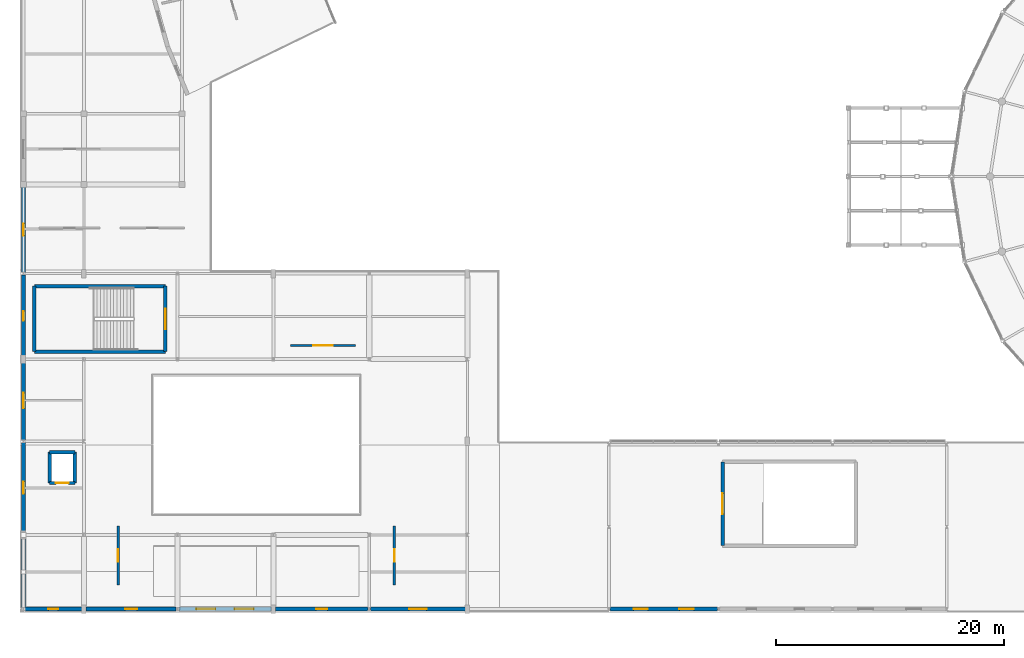
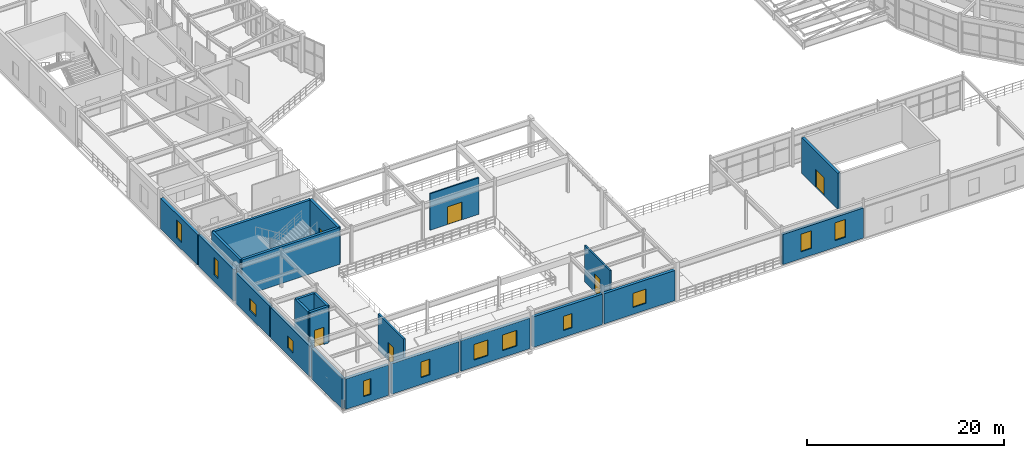
# One storey, part 103 of 144: 23 walls, 12 windows, 6 doors, 18 openings.
"""IFC4 building model written with IfcOpenShell, lengths in metres."""

from ifc_helpers import new_model, si_unit, direction, frame, frame_2d, origin, place, context, subcontext, project, spatial, rectangle, extrude, material, layer, layer_set, type_object, element, fill, save


model = new_model("IFC4")

# Units and contexts
model_context = context("Model", 3, precision=1e-05, world=origin(), true_north=direction((0.0, 1.0)))
body_context = subcontext(model_context, "Body", "Model", "MODEL_VIEW")
ifc_project = project(units=[si_unit("LENGTHUNIT", "METRE"), si_unit("AREAUNIT", "SQUARE_METRE"), si_unit("VOLUMEUNIT", "CUBIC_METRE"), si_unit("PLANEANGLEUNIT", "RADIAN"), si_unit("MASSUNIT", "GRAM", prefix="KILO")], contexts=[model_context])

# Site, building, storey
site_placement = place(None, origin())
site = spatial("IfcSite", under=ifc_project, at=site_placement, CompositionType="ELEMENT")
building_placement = place(site_placement, origin())
building = spatial("IfcBuilding", under=site, at=building_placement, Name="Cinderbank Siding Concert Hall", CompositionType="ELEMENT")
storey_placement = place(building_placement, frame((0.0, 0.0, 5.39990234375)))
storey = spatial("IfcBuildingStorey", under=building, at=storey_placement, Name="L02", CompositionType="ELEMENT", Elevation=5.39990234375)

# Wall, opening, door
ifc_material_1 = material(Name="Reinforced concrete AS 3600 N50 (50 MPa)", Category="concrete")
ifc_layer_1 = layer(ifc_material_1, 0.300048828125)
ifc_layer_set_1 = layer_set([ifc_layer_1], Name="Reinforced concrete AS 3600 N50 (50 MPa)")
wall_type_1 = type_object("IfcWallType", Name="WL-03 Structural Wall 300mm", PredefinedType="SHEAR", material=ifc_layer_set_1)
wall_1_placement = place(storey_placement, frame((19.5400390625, 34.39990234375, 0.0), z_axis=(0.0, 0.0, 1.0), x_axis=(0.0, -1.0, 0.0)))
wall_1 = element("IfcWall", 1, at=wall_1_placement, inside=storey, type_object=wall_type_1, Name="L02 ST-06 Core Wall ENTRY", PredefinedType="SHEAR", context=body_context, shape_type="SweptSolid", body=[
    extrude(rectangle(XDim=5.739990234375, YDim=0.300048828125, at=frame_2d((2.8701171875, 0.0))), origin(), (0.0, 0.0, 1.0), 4.5400390625),
])
opening_1_placement = place(wall_1_placement, frame((1.969970703125, 0.0, 0.0)))
opening_1 = element("IfcOpeningElement", 2, at=opening_1_placement, cuts=wall_1, Name="Opening D-05", PredefinedType="OPENING", context=body_context, shape_type="SweptSolid", body=[
    extrude(rectangle(XDim=1.800048828125, YDim=2.199951171875, at=frame_2d((0.89990234375, 1.10009765625))), frame((0.0, 0.162109375, 0.0), z_axis=(0.0, -1.0, 0.0), x_axis=(1.0, 0.0, 0.0)), (0.0, 0.0, 1.0), 0.323974609375),
])
ifc_material_2 = material(Name="Galvanised sheet steel acoustic fire door assembly", Category="steel")
door_type_1 = type_object("IfcDoorType", Name="D-05 Interior Door 1800x2200", OperationType="DOUBLE_DOOR_SINGLE_SWING", PredefinedType="DOOR", material=ifc_material_2)
door_1_placement = place(opening_1_placement, origin())
door_1 = element("IfcDoor", 3, at=door_1_placement, inside=storey, type_object=door_type_1, Name="L02 ST-06 Fire Stair Door L02-D037", OperationType="DOUBLE_DOOR_SINGLE_SWING", OverallHeight=2.199951171875, OverallWidth=1.800048828125, PredefinedType="DOOR", context=body_context, shape_type="SweptSolid", body=[
    extrude(rectangle(XDim=1.800048828125, YDim=2.199951171875, at=frame_2d((0.89990234375, 1.10009765625))), frame((0.0, 0.02490234375, 0.0), z_axis=(0.0, -1.0, 0.0), x_axis=(1.0, 0.0, 0.0)), (0.0, 0.0, 1.0), 0.050048828125),
])
fill(opening_1, door_1)

# Walls
wall_2_placement = place(storey_placement, frame((8.06005859375, 28.659912109375, 0.0), z_axis=(0.0, 0.0, 1.0), x_axis=(0.0, 1.0, 0.0)))
element("IfcWall", 4, at=wall_2_placement, inside=storey, type_object=wall_type_1, Name="L02 ST-06 Core Wall FAR", PredefinedType="SHEAR", context=body_context, shape_type="SweptSolid", body=[
    extrude(rectangle(XDim=5.739990234375, YDim=0.300048828125, at=frame_2d((2.8701171875, 0.0))), origin(), (0.0, 0.0, 1.0), 4.5400390625),
])
for number, where, z_axis, x_axis, name in (
    (5, (8.06005859375, 34.39990234375, 0.0), (0.0, 0.0, 1.0), (1.0, 0.0, 0.0), "L02 ST-06 Core Wall SIDE1"),
    (6, (19.5400390625, 28.659912109375, 0.0), (0.0, 0.0, 1.0), (-1.0, 0.0, 0.0), "L02 ST-06 Core Wall SIDE2"),
):
    element("IfcWall", number, at=place(storey_placement, frame(where, z_axis=z_axis, x_axis=x_axis)), inside=storey, type_object=wall_type_1, Name=name, PredefinedType="SHEAR", context=body_context, shape_type="SweptSolid", body=[
        extrude(rectangle(XDim=11.47998046875, YDim=0.300048828125, at=frame_2d((5.739990234375, 0.0))), origin(), (0.0, 0.0, 1.0), 4.5400390625),
    ])

# Wall, opening, door
wall_3_placement = place(storey_placement, frame((68.360107421875, 11.659912109375, 0.0), z_axis=(0.0, 0.0, 1.0), x_axis=(0.0, 1.0, 0.0)))
wall_3 = element("IfcWall", 7, at=wall_3_placement, inside=storey, type_object=wall_type_1, Name="L02 ST-08 Core Wall ENTRY", PredefinedType="SHEAR", context=body_context, shape_type="SweptSolid", body=[
    extrude(rectangle(XDim=7.340087890625, YDim=0.300048828125, at=frame_2d((3.669921875, 0.0))), origin(), (0.0, 0.0, 1.0), 4.4501953125),
])
opening_2_placement = place(wall_3_placement, frame((2.77001953125, 0.0, 0.0)))
opening_2 = element("IfcOpeningElement", 8, at=opening_2_placement, cuts=wall_3, Name="Opening D-05", PredefinedType="OPENING", context=body_context, shape_type="SweptSolid", body=[
    extrude(rectangle(XDim=1.800048828125, YDim=2.199951171875, at=frame_2d((0.89990234375, 1.10009765625))), frame((0.0, 0.162109375, 0.0), z_axis=(0.0, -1.0, 0.0), x_axis=(1.0, 0.0, 0.0)), (0.0, 0.0, 1.0), 0.323974609375),
])
door_2_placement = place(opening_2_placement, origin())
door_2 = element("IfcDoor", 9, at=door_2_placement, inside=storey, type_object=door_type_1, Name="L02 ST-08 Fire Stair Door L02-D045", OperationType="DOUBLE_DOOR_SINGLE_SWING", OverallHeight=2.199951171875, OverallWidth=1.800048828125, PredefinedType="DOOR", context=body_context, shape_type="SweptSolid", body=[
    extrude(rectangle(XDim=1.800048828125, YDim=2.199951171875, at=frame_2d((0.89990234375, 1.10009765625))), frame((0.0, 0.02490234375, 0.0), z_axis=(0.0, -1.0, 0.0), x_axis=(1.0, 0.0, 0.0)), (0.0, 0.0, 1.0), 0.050048828125),
])
fill(opening_2, door_2)

wall_4_placement = place(storey_placement, frame((11.60009765625, 17.14990234375, 0.0), z_axis=(0.0, 0.0, 1.0), x_axis=(-1.0, 0.0, 0.0)))
wall_4 = element("IfcWall", 10, at=wall_4_placement, inside=storey, type_object=wall_type_1, Name="L02 LF-07 Shaft Wall -Y", PredefinedType="SHEAR", context=body_context, shape_type="SweptSolid", body=[
    extrude(rectangle(XDim=2.2001953125, YDim=0.300048828125, at=frame_2d((1.10009765625, 0.0))), origin(), (0.0, 0.0, 1.0), 4.5400390625),
])
opening_3_placement = place(wall_4_placement, frame((0.550048828125, 0.0, 0.0)))
opening_3 = element("IfcOpeningElement", 11, at=opening_3_placement, cuts=wall_4, Name="Opening LD-01", PredefinedType="OPENING", context=body_context, shape_type="SweptSolid", body=[
    extrude(rectangle(XDim=1.10009765625, YDim=2.14990234375, at=frame_2d((0.550048828125, 1.074951171875))), frame((0.0, 0.162109375, 0.0), z_axis=(0.0, -1.0, 0.0), x_axis=(1.0, 0.0, 0.0)), (0.0, 0.0, 1.0), 0.323974609375),
])
door_type_2 = type_object("IfcDoorType", Name="LD-01 Interior Door 1100x2150", OperationType="DOUBLE_DOOR_SLIDING", PredefinedType="DOOR", material=ifc_material_2)
door_3_placement = place(opening_3_placement, origin())
door_3 = element("IfcDoor", 12, at=door_3_placement, inside=storey, type_object=door_type_2, Name="L02 LF-07 Sliding Landing Door", OperationType="DOUBLE_DOOR_SLIDING", OverallHeight=2.14990234375, OverallWidth=1.10009765625, PredefinedType="DOOR", context=body_context, shape_type="SweptSolid", body=[
    extrude(rectangle(XDim=1.10009765625, YDim=2.14990234375, at=frame_2d((0.550048828125, 1.074951171875))), frame((0.0, 0.02490234375, 0.0), z_axis=(0.0, -1.0, 0.0), x_axis=(1.0, 0.0, 0.0)), (0.0, 0.0, 1.0), 0.050048828125),
])
fill(opening_3, door_3)

# Walls
wall_5_placement = place(storey_placement, frame((11.60009765625, 19.85009765625, 0.0), z_axis=(0.0, 0.0, 1.0), x_axis=(0.0, -1.0, 0.0)))
element("IfcWall", 13, at=wall_5_placement, inside=storey, type_object=wall_type_1, Name="L02 LF-07 Shaft Wall +X", PredefinedType="SHEAR", context=body_context, shape_type="SweptSolid", body=[
    extrude(rectangle(XDim=2.7001953125, YDim=0.300048828125, at=frame_2d((1.35009765625, 0.0))), origin(), (0.0, 0.0, 1.0), 4.5400390625),
])
wall_6_placement = place(storey_placement, frame((9.39990234375, 19.85009765625, 0.0), z_axis=(0.0, 0.0, 1.0), x_axis=(1.0, 0.0, 0.0)))
element("IfcWall", 14, at=wall_6_placement, inside=storey, type_object=wall_type_1, Name="L02 LF-07 Shaft Wall +Y", PredefinedType="SHEAR", context=body_context, shape_type="SweptSolid", body=[
    extrude(rectangle(XDim=2.2001953125, YDim=0.300048828125, at=frame_2d((1.10009765625, 0.0))), origin(), (0.0, 0.0, 1.0), 4.5400390625),
])
wall_7_placement = place(storey_placement, frame((9.39990234375, 17.14990234375, 0.0), z_axis=(0.0, 0.0, 1.0), x_axis=(0.0, 1.0, 0.0)))
element("IfcWall", 15, at=wall_7_placement, inside=storey, type_object=wall_type_1, Name="L02 LF-07 Shaft Wall -X", PredefinedType="SHEAR", context=body_context, shape_type="SweptSolid", body=[
    extrude(rectangle(XDim=2.7001953125, YDim=0.300048828125, at=frame_2d((1.35009765625, 0.0))), origin(), (0.0, 0.0, 1.0), 4.5400390625),
])

# Wall, opening, window
ifc_material_3 = material(Name="Clinker clay brickwork masonry AS 3700 (20 MPa)", Category="masonry")
ifc_layer_2 = layer(ifc_material_3, 0.340087890625)
ifc_layer_set_2 = layer_set([ifc_layer_2], Name="Clinker clay brickwork masonry AS 3700 (20 MPa)")
wall_type_2 = type_object("IfcWallType", Name="WL-07 Exterior Wall 340mm", PredefinedType="STANDARD", material=ifc_layer_set_2)
wall_8_placement = place(storey_placement, frame((12.215087890625, 6.10009765625, 0.0), z_axis=(0.0, 0.0, 1.0), x_axis=(-1.0, 0.0, 0.0)))
wall_8 = element("IfcWall", 16, at=wall_8_placement, inside=storey, type_object=wall_type_2, Name="L02 Facade Wall EW-V2-S0-L02", PredefinedType="STANDARD", context=body_context, shape_type="SweptSolid", body=[
    extrude(rectangle(XDim=5.003173828125, YDim=0.340087890625, at=frame_2d((2.50146484375, 0.0))), origin(), (0.0, 0.0, 1.0), 3.777099609375),
])
opening_4_placement = place(wall_8_placement, frame((2.076416015625, 0.0, 0.85009765625)))
opening_4 = element("IfcOpeningElement", 17, at=opening_4_placement, cuts=wall_8, Name="Opening WN-09", PredefinedType="OPENING", context=body_context, shape_type="SweptSolid", body=[
    extrude(rectangle(XDim=0.85009765625, YDim=1.949951171875, at=frame_2d((0.425048828125, 0.97509765625))), frame((0.0, 0.18212890625, 0.0), z_axis=(0.0, -1.0, 0.0), x_axis=(1.0, 0.0, 0.0)), (0.0, 0.0, 1.0), 0.364013671875),
])
ifc_material_4 = material(Name="Double-glazed laminated acoustic glass", Category="glass")
window_type_1 = type_object("IfcWindowType", Name="WN-09 Acoustic Casement Window 850x1950", PartitioningType="DOUBLE_PANEL_VERTICAL", PredefinedType="WINDOW", material=ifc_material_4)
window_1_placement = place(opening_4_placement, origin())
window_1 = element("IfcWindow", 18, at=window_1_placement, inside=storey, type_object=window_type_1, Name="L02 Facade Window #57", OverallHeight=1.949951171875, OverallWidth=0.85009765625, PartitioningType="DOUBLE_PANEL_VERTICAL", PredefinedType="WINDOW", context=body_context, shape_type="SweptSolid", body=[
    extrude(rectangle(XDim=0.85009765625, YDim=1.949951171875, at=frame_2d((0.425048828125, 0.97509765625))), frame((0.0, 0.030029296875, 0.0), z_axis=(0.0, -1.0, 0.0), x_axis=(1.0, 0.0, 0.0)), (0.0, 0.0, 1.0), 0.06005859375),
])
fill(opening_4, window_1)

wall_9_placement = place(storey_placement, frame((20.488037109375, 6.10009765625, 0.0), z_axis=(0.0, 0.0, 1.0), x_axis=(-1.0, 0.0, 0.0)))
wall_9 = element("IfcWall", 19, at=wall_9_placement, inside=storey, type_object=wall_type_2, Name="L02 Facade Wall EW-V2-S1-L02", PredefinedType="STANDARD", context=body_context, shape_type="SweptSolid", body=[
    extrude(rectangle(XDim=7.903076171875, YDim=0.340087890625, at=frame_2d((3.95166015625, 0.0))), origin(), (0.0, 0.0, 1.0), 3.777099609375),
])
opening_5_placement = place(wall_9_placement, frame((3.426513671875, 0.0, 0.85009765625)))
opening_5 = element("IfcOpeningElement", 20, at=opening_5_placement, cuts=wall_9, Name="Opening WN-11", PredefinedType="OPENING", context=body_context, shape_type="SweptSolid", body=[
    extrude(rectangle(XDim=1.050048828125, YDim=1.949951171875, at=frame_2d((0.52490234375, 0.97509765625))), frame((0.0, 0.18212890625, 0.0), z_axis=(0.0, -1.0, 0.0), x_axis=(1.0, 0.0, 0.0)), (0.0, 0.0, 1.0), 0.364013671875),
])
window_type_2 = type_object("IfcWindowType", Name="WN-11 Acoustic Casement Window 1050x1950", PartitioningType="DOUBLE_PANEL_VERTICAL", PredefinedType="WINDOW", material=ifc_material_4)
window_2_placement = place(opening_5_placement, origin())
window_2 = element("IfcWindow", 21, at=window_2_placement, inside=storey, type_object=window_type_2, Name="L02 Facade Window #59", OverallHeight=1.949951171875, OverallWidth=1.050048828125, PartitioningType="DOUBLE_PANEL_VERTICAL", PredefinedType="WINDOW", context=body_context, shape_type="SweptSolid", body=[
    extrude(rectangle(XDim=1.050048828125, YDim=1.949951171875, at=frame_2d((0.52490234375, 0.97509765625))), frame((0.0, 0.030029296875, 0.0), z_axis=(0.0, -1.0, 0.0), x_axis=(1.0, 0.0, 0.0)), (0.0, 0.0, 1.0), 0.06005859375),
])
fill(opening_5, window_2)

# Wall, openings, windows
wall_10_placement = place(storey_placement, frame((28.81494140625, 6.10009765625, 0.0), z_axis=(0.0, 0.0, 1.0), x_axis=(-1.0, 0.0, 0.0)))
wall_10 = element("IfcWall", 22, at=wall_10_placement, inside=storey, type_object=wall_type_2, Name="L02 Facade Wall EW-V2-S2-L02", PredefinedType="STANDARD", context=body_context, shape_type="SweptSolid", body=[
    extrude(rectangle(XDim=8.10302734375, YDim=0.340087890625, at=frame_2d((4.051513671875, 0.0))), origin(), (0.0, 0.0, 1.0), 3.777099609375),
])
opening_6_placement = place(wall_10_placement, frame((1.55078125, 0.0, 0.85009765625)))
opening_6 = element("IfcOpeningElement", 23, at=opening_6_placement, cuts=wall_10, Name="Opening WN-15", PredefinedType="OPENING", context=body_context, shape_type="SweptSolid", body=[
    extrude(rectangle(XDim=1.64990234375, YDim=1.949951171875, at=frame_2d((0.824951171875, 0.97509765625))), frame((0.0, 0.18212890625, 0.0), z_axis=(0.0, -1.0, 0.0), x_axis=(1.0, 0.0, 0.0)), (0.0, 0.0, 1.0), 0.364013671875),
])
opening_7_placement = place(wall_10_placement, frame((4.90234375, 0.0, 0.85009765625)))
opening_7 = element("IfcOpeningElement", 24, at=opening_7_placement, cuts=wall_10, Name="Opening WN-15", PredefinedType="OPENING", context=body_context, shape_type="SweptSolid", body=[
    extrude(rectangle(XDim=1.64990234375, YDim=1.949951171875, at=frame_2d((0.824951171875, 0.97509765625))), frame((0.0, 0.18212890625, 0.0), z_axis=(0.0, -1.0, 0.0), x_axis=(1.0, 0.0, 0.0)), (0.0, 0.0, 1.0), 0.364013671875),
])
window_type_3 = type_object("IfcWindowType", Name="WN-15 Acoustic Casement Window 1650x1950", PartitioningType="DOUBLE_PANEL_VERTICAL", PredefinedType="WINDOW", material=ifc_material_4)
window_3_placement = place(opening_6_placement, origin())
window_3 = element("IfcWindow", 25, at=window_3_placement, inside=storey, type_object=window_type_3, Name="L02 Facade Window #63", OverallHeight=1.949951171875, OverallWidth=1.64990234375, PartitioningType="DOUBLE_PANEL_VERTICAL", PredefinedType="WINDOW", context=body_context, shape_type="SweptSolid", body=[
    extrude(rectangle(XDim=1.64990234375, YDim=1.949951171875, at=frame_2d((0.824951171875, 0.97509765625))), frame((0.0, 0.030029296875, 0.0), z_axis=(0.0, -1.0, 0.0), x_axis=(1.0, 0.0, 0.0)), (0.0, 0.0, 1.0), 0.06005859375),
])
fill(opening_6, window_3)
window_4_placement = place(opening_7_placement, origin())
window_4 = element("IfcWindow", 26, at=window_4_placement, inside=storey, type_object=window_type_3, Name="L02 Facade Window #64", OverallHeight=1.949951171875, OverallWidth=1.64990234375, PartitioningType="DOUBLE_PANEL_VERTICAL", PredefinedType="WINDOW", context=body_context, shape_type="SweptSolid", body=[
    extrude(rectangle(XDim=1.64990234375, YDim=1.949951171875, at=frame_2d((0.824951171875, 0.97509765625))), frame((0.0, 0.030029296875, 0.0), z_axis=(0.0, -1.0, 0.0), x_axis=(1.0, 0.0, 0.0)), (0.0, 0.0, 1.0), 0.06005859375),
])
fill(opening_7, window_4)

# Wall, opening, window
wall_11_placement = place(storey_placement, frame((37.2880859375, 6.10009765625, 0.0), z_axis=(0.0, 0.0, 1.0), x_axis=(-1.0, 0.0, 0.0)))
wall_11 = element("IfcWall", 27, at=wall_11_placement, inside=storey, type_object=wall_type_2, Name="L02 Facade Wall EW-V2-S3-L02", PredefinedType="STANDARD", context=body_context, shape_type="SweptSolid", body=[
    extrude(rectangle(XDim=8.10302734375, YDim=0.340087890625, at=frame_2d((4.051513671875, 0.0))), origin(), (0.0, 0.0, 1.0), 3.777099609375),
])
opening_8_placement = place(wall_11_placement, frame((3.551513671875, 0.0, 0.85009765625)))
opening_8 = element("IfcOpeningElement", 28, at=opening_8_placement, cuts=wall_11, Name="Opening WN-18", PredefinedType="OPENING", context=body_context, shape_type="SweptSolid", body=[
    extrude(rectangle(XDim=1.0, YDim=1.75, at=frame_2d((0.5, 0.875))), frame((0.0, 0.18212890625, 0.0), z_axis=(0.0, -1.0, 0.0), x_axis=(1.0, 0.0, 0.0)), (0.0, 0.0, 1.0), 0.364013671875),
])
window_type_4 = type_object("IfcWindowType", Name="WN-18 Acoustic Casement Window 1000x1750", PartitioningType="DOUBLE_PANEL_VERTICAL", PredefinedType="WINDOW", material=ifc_material_4)
window_5_placement = place(opening_8_placement, origin())
window_5 = element("IfcWindow", 29, at=window_5_placement, inside=storey, type_object=window_type_4, Name="L02 Facade Window #66", OverallHeight=1.75, OverallWidth=1.0, PartitioningType="DOUBLE_PANEL_VERTICAL", PredefinedType="WINDOW", context=body_context, shape_type="SweptSolid", body=[
    extrude(rectangle(XDim=1.0, YDim=1.75, at=frame_2d((0.5, 0.875))), frame((0.0, 0.030029296875, 0.0), z_axis=(0.0, -1.0, 0.0), x_axis=(1.0, 0.0, 0.0)), (0.0, 0.0, 1.0), 0.06005859375),
])
fill(opening_8, window_5)

wall_12_placement = place(storey_placement, frame((45.81494140625, 6.10009765625, 0.0), z_axis=(0.0, 0.0, 1.0), x_axis=(-1.0, 0.0, 0.0)))
wall_12 = element("IfcWall", 30, at=wall_12_placement, inside=storey, type_object=wall_type_2, Name="L02 Facade Wall EW-V2-S4-L02", PredefinedType="STANDARD", context=body_context, shape_type="SweptSolid", body=[
    extrude(rectangle(XDim=8.302978515625, YDim=0.340087890625, at=frame_2d((4.1513671875, 0.0))), origin(), (0.0, 0.0, 1.0), 3.737060546875),
])
opening_9_placement = place(wall_12_placement, frame((3.3916015625, 0.0, 0.85009765625)))
opening_9 = element("IfcOpeningElement", 31, at=opening_9_placement, cuts=wall_12, Name="Opening WN-22", PredefinedType="OPENING", context=body_context, shape_type="SweptSolid", body=[
    extrude(rectangle(XDim=1.52001953125, YDim=1.75, at=frame_2d((0.760009765625, 0.875))), frame((0.0, 0.18212890625, 0.0), z_axis=(0.0, -1.0, 0.0), x_axis=(1.0, 0.0, 0.0)), (0.0, 0.0, 1.0), 0.364013671875),
])
window_type_5 = type_object("IfcWindowType", Name="WN-22 Acoustic Casement Window 1520x1750", PartitioningType="DOUBLE_PANEL_VERTICAL", PredefinedType="WINDOW", material=ifc_material_4)
window_6_placement = place(opening_9_placement, origin())
window_6 = element("IfcWindow", 32, at=window_6_placement, inside=storey, type_object=window_type_5, Name="L02 Facade Window #70", OverallHeight=1.75, OverallWidth=1.52001953125, PartitioningType="DOUBLE_PANEL_VERTICAL", PredefinedType="WINDOW", context=body_context, shape_type="SweptSolid", body=[
    extrude(rectangle(XDim=1.52001953125, YDim=1.75, at=frame_2d((0.760009765625, 0.875))), frame((0.0, 0.030029296875, 0.0), z_axis=(0.0, -1.0, 0.0), x_axis=(1.0, 0.0, 0.0)), (0.0, 0.0, 1.0), 0.06005859375),
])
fill(opening_9, window_6)

# Wall
wall_13_placement = place(storey_placement, frame((7.10009765625, 6.2119140625, 0.0), z_axis=(0.0, 0.0, 1.0), x_axis=(0.0, 1.0, 0.0)))
element("IfcWall", 33, at=wall_13_placement, inside=storey, type_object=wall_type_2, Name="L02 Facade Wall EW-V2-W0-L02", PredefinedType="STANDARD", context=body_context, shape_type="SweptSolid", body=[
    extrude(rectangle(XDim=6.203125, YDim=0.340087890625, at=frame_2d((3.1015625, 0.0))), origin(), (0.0, 0.0, 1.0), 3.777099609375),
])

# Wall, opening, window
wall_14_placement = place(storey_placement, frame((7.10009765625, 12.784912109375, 0.0), z_axis=(0.0, 0.0, 1.0), x_axis=(0.0, 1.0, 0.0)))
wall_14 = element("IfcWall", 34, at=wall_14_placement, inside=storey, type_object=wall_type_2, Name="L02 Facade Wall EW-V2-W1-L02", PredefinedType="STANDARD", context=body_context, shape_type="SweptSolid", body=[
    extrude(rectangle(XDim=7.903076171875, YDim=0.340087890625, at=frame_2d((3.95166015625, 0.0))), origin(), (0.0, 0.0, 1.0), 3.777099609375),
])
opening_10_placement = place(wall_14_placement, frame((3.41162109375, 0.0, 0.85009765625)))
opening_10 = element("IfcOpeningElement", 35, at=opening_10_placement, cuts=wall_14, Name="Opening WN-26", PredefinedType="OPENING", context=body_context, shape_type="SweptSolid", body=[
    extrude(rectangle(XDim=1.080078125, YDim=1.5, at=frame_2d((0.5400390625, 0.75))), frame((0.0, 0.18212890625, 0.0), z_axis=(0.0, -1.0, 0.0), x_axis=(1.0, 0.0, 0.0)), (0.0, 0.0, 1.0), 0.364013671875),
])
window_type_6 = type_object("IfcWindowType", Name="WN-26 Acoustic Casement Window 1080x1500", PartitioningType="DOUBLE_PANEL_VERTICAL", PredefinedType="WINDOW", material=ifc_material_4)
window_7_placement = place(opening_10_placement, origin())
window_7 = element("IfcWindow", 36, at=window_7_placement, inside=storey, type_object=window_type_6, Name="L02 Facade Window #74", OverallHeight=1.5, OverallWidth=1.080078125, PartitioningType="DOUBLE_PANEL_VERTICAL", PredefinedType="WINDOW", context=body_context, shape_type="SweptSolid", body=[
    extrude(rectangle(XDim=1.080078125, YDim=1.5, at=frame_2d((0.5400390625, 0.75))), frame((0.0, 0.030029296875, 0.0), z_axis=(0.0, -1.0, 0.0), x_axis=(1.0, 0.0, 0.0)), (0.0, 0.0, 1.0), 0.06005859375),
])
fill(opening_10, window_7)

wall_15_placement = place(storey_placement, frame((7.10009765625, 20.912109375, 0.0), z_axis=(0.0, 0.0, 1.0), x_axis=(0.0, 1.0, 0.0)))
wall_15 = element("IfcWall", 37, at=wall_15_placement, inside=storey, type_object=wall_type_2, Name="L02 Facade Wall EW-V2-W2-L02", PredefinedType="STANDARD", context=body_context, shape_type="SweptSolid", body=[
    extrude(rectangle(XDim=6.90283203125, YDim=0.340087890625, at=frame_2d((3.451416015625, 0.0))), origin(), (0.0, 0.0, 1.0), 3.8271484375),
])
opening_11_placement = place(wall_15_placement, frame((2.771484375, 0.0, 0.85009765625)))
opening_11 = element("IfcOpeningElement", 38, at=opening_11_placement, cuts=wall_15, Name="Opening WN-28", PredefinedType="OPENING", context=body_context, shape_type="SweptSolid", body=[
    extrude(rectangle(XDim=1.360107421875, YDim=1.5, at=frame_2d((0.68017578125, 0.75))), frame((0.0, 0.18212890625, 0.0), z_axis=(0.0, -1.0, 0.0), x_axis=(1.0, 0.0, 0.0)), (0.0, 0.0, 1.0), 0.364013671875),
])
window_type_7 = type_object("IfcWindowType", Name="WN-28 Acoustic Casement Window 1360x1500", PartitioningType="DOUBLE_PANEL_VERTICAL", PredefinedType="WINDOW", material=ifc_material_4)
window_8_placement = place(opening_11_placement, origin())
window_8 = element("IfcWindow", 39, at=window_8_placement, inside=storey, type_object=window_type_7, Name="L02 Facade Window #76", OverallHeight=1.5, OverallWidth=1.360107421875, PartitioningType="DOUBLE_PANEL_VERTICAL", PredefinedType="WINDOW", context=body_context, shape_type="SweptSolid", body=[
    extrude(rectangle(XDim=1.360107421875, YDim=1.5, at=frame_2d((0.68017578125, 0.75))), frame((0.0, 0.030029296875, 0.0), z_axis=(0.0, -1.0, 0.0), x_axis=(1.0, 0.0, 0.0)), (0.0, 0.0, 1.0), 0.06005859375),
])
fill(opening_11, window_8)

wall_16_placement = place(storey_placement, frame((7.10009765625, 28.18505859375, 0.0), z_axis=(0.0, 0.0, 1.0), x_axis=(0.0, 1.0, 0.0)))
wall_16 = element("IfcWall", 40, at=wall_16_placement, inside=storey, type_object=wall_type_2, Name="L02 Facade Wall EW-V2-W3-L02", PredefinedType="STANDARD", context=body_context, shape_type="SweptSolid", body=[
    extrude(rectangle(XDim=7.202880859375, YDim=0.340087890625, at=frame_2d((3.6015625, 0.0))), origin(), (0.0, 0.0, 1.0), 3.9248046875),
])
opening_12_placement = place(wall_16_placement, frame((3.176513671875, 0.0, 0.85009765625)))
opening_12 = element("IfcOpeningElement", 41, at=opening_12_placement, cuts=wall_16, Name="Opening WN-01", PredefinedType="OPENING", context=body_context, shape_type="SweptSolid", body=[
    extrude(rectangle(XDim=0.85009765625, YDim=2.199951171875, at=frame_2d((0.425048828125, 1.10009765625))), frame((0.0, 0.18212890625, 0.0), z_axis=(0.0, -1.0, 0.0), x_axis=(1.0, 0.0, 0.0)), (0.0, 0.0, 1.0), 0.364013671875),
])
window_type_8 = type_object("IfcWindowType", Name="WN-01 Acoustic Casement Window 850x2200", PartitioningType="DOUBLE_PANEL_VERTICAL", PredefinedType="WINDOW", material=ifc_material_4)
window_9_placement = place(opening_12_placement, origin())
window_9 = element("IfcWindow", 42, at=window_9_placement, inside=storey, type_object=window_type_8, Name="L02 Facade Window #79", OverallHeight=2.199951171875, OverallWidth=0.85009765625, PartitioningType="DOUBLE_PANEL_VERTICAL", PredefinedType="WINDOW", context=body_context, shape_type="SweptSolid", body=[
    extrude(rectangle(XDim=0.85009765625, YDim=2.199951171875, at=frame_2d((0.425048828125, 1.10009765625))), frame((0.0, 0.030029296875, 0.0), z_axis=(0.0, -1.0, 0.0), x_axis=(1.0, 0.0, 0.0)), (0.0, 0.0, 1.0), 0.06005859375),
])
fill(opening_12, window_9)

wall_17_placement = place(storey_placement, frame((7.10009765625, 35.612060546875, 0.0), z_axis=(0.0, 0.0, 1.0), x_axis=(0.0, 1.0, 0.0)))
wall_17 = element("IfcWall", 43, at=wall_17_placement, inside=storey, type_object=wall_type_2, Name="L02 Facade Wall EW-WL-W0-L02", PredefinedType="STANDARD", context=body_context, shape_type="SweptSolid", body=[
    extrude(rectangle(XDim=7.452880859375, YDim=0.340087890625, at=frame_2d((3.7265625, 0.0))), origin(), (0.0, 0.0, 1.0), 3.787109375),
])
opening_13_placement = place(wall_17_placement, frame((3.201416015625, 0.0, 0.85009765625)))
opening_13 = element("IfcOpeningElement", 44, at=opening_13_placement, cuts=wall_17, Name="Opening WN-03", PredefinedType="OPENING", context=body_context, shape_type="SweptSolid", body=[
    extrude(rectangle(XDim=1.050048828125, YDim=2.199951171875, at=frame_2d((0.52490234375, 1.10009765625))), frame((0.0, 0.18212890625, 0.0), z_axis=(0.0, -1.0, 0.0), x_axis=(1.0, 0.0, 0.0)), (0.0, 0.0, 1.0), 0.364013671875),
])
window_type_9 = type_object("IfcWindowType", Name="WN-03 Acoustic Casement Window 1050x2200", PartitioningType="DOUBLE_PANEL_VERTICAL", PredefinedType="WINDOW", material=ifc_material_4)
window_10_placement = place(opening_13_placement, origin())
window_10 = element("IfcWindow", 45, at=window_10_placement, inside=storey, type_object=window_type_9, Name="L02 Facade Window #81", OverallHeight=2.199951171875, OverallWidth=1.050048828125, PartitioningType="DOUBLE_PANEL_VERTICAL", PredefinedType="WINDOW", context=body_context, shape_type="SweptSolid", body=[
    extrude(rectangle(XDim=1.050048828125, YDim=2.199951171875, at=frame_2d((0.52490234375, 1.10009765625))), frame((0.0, 0.030029296875, 0.0), z_axis=(0.0, -1.0, 0.0), x_axis=(1.0, 0.0, 0.0)), (0.0, 0.0, 1.0), 0.06005859375),
])
fill(opening_13, window_10)

# Wall, openings, windows
wall_18_placement = place(storey_placement, frame((67.91259765625, 6.10009765625, 0.0), z_axis=(0.0, 0.0, 1.0), x_axis=(-1.0, 0.0, 0.0)))
wall_18 = element("IfcWall", 46, at=wall_18_placement, inside=storey, type_object=wall_type_2, Name="L02 Facade Wall EW-SL-S1-L02", PredefinedType="STANDARD", context=body_context, shape_type="SweptSolid", body=[
    extrude(rectangle(XDim=9.425048828125, YDim=0.340087890625, at=frame_2d((4.71240234375, 0.0))), origin(), (0.0, 0.0, 1.0), 3.737060546875),
])
opening_14_placement = place(wall_18_placement, frame((2.081298828125, 0.0, 0.85009765625)))
opening_14 = element("IfcOpeningElement", 47, at=opening_14_placement, cuts=wall_18, Name="Opening WN-05", PredefinedType="OPENING", context=body_context, shape_type="SweptSolid", body=[
    extrude(rectangle(XDim=1.25, YDim=2.199951171875, at=frame_2d((0.625, 1.10009765625))), frame((0.0, 0.18212890625, 0.0), z_axis=(0.0, -1.0, 0.0), x_axis=(1.0, 0.0, 0.0)), (0.0, 0.0, 1.0), 0.364013671875),
])
opening_15_placement = place(wall_18_placement, frame((6.09375, 0.0, 0.85009765625)))
opening_15 = element("IfcOpeningElement", 48, at=opening_15_placement, cuts=wall_18, Name="Opening WN-05", PredefinedType="OPENING", context=body_context, shape_type="SweptSolid", body=[
    extrude(rectangle(XDim=1.25, YDim=2.199951171875, at=frame_2d((0.625, 1.10009765625))), frame((0.0, 0.18212890625, 0.0), z_axis=(0.0, -1.0, 0.0), x_axis=(1.0, 0.0, 0.0)), (0.0, 0.0, 1.0), 0.364013671875),
])
window_type_10 = type_object("IfcWindowType", Name="WN-05 Acoustic Casement Window 1250x2200", PartitioningType="DOUBLE_PANEL_VERTICAL", PredefinedType="WINDOW", material=ifc_material_4)
window_11_placement = place(opening_14_placement, origin())
window_11 = element("IfcWindow", 49, at=window_11_placement, inside=storey, type_object=window_type_10, Name="L02 Facade Window #203", OverallHeight=2.199951171875, OverallWidth=1.25, PartitioningType="DOUBLE_PANEL_VERTICAL", PredefinedType="WINDOW", context=body_context, shape_type="SweptSolid", body=[
    extrude(rectangle(XDim=1.25, YDim=2.199951171875, at=frame_2d((0.625, 1.10009765625))), frame((0.0, 0.030029296875, 0.0), z_axis=(0.0, -1.0, 0.0), x_axis=(1.0, 0.0, 0.0)), (0.0, 0.0, 1.0), 0.06005859375),
])
fill(opening_14, window_11)
window_12_placement = place(opening_15_placement, origin())
window_12 = element("IfcWindow", 50, at=window_12_placement, inside=storey, type_object=window_type_10, Name="L02 Facade Window #204", OverallHeight=2.199951171875, OverallWidth=1.25, PartitioningType="DOUBLE_PANEL_VERTICAL", PredefinedType="WINDOW", context=body_context, shape_type="SweptSolid", body=[
    extrude(rectangle(XDim=1.25, YDim=2.199951171875, at=frame_2d((0.625, 1.10009765625))), frame((0.0, 0.030029296875, 0.0), z_axis=(0.0, -1.0, 0.0), x_axis=(1.0, 0.0, 0.0)), (0.0, 0.0, 1.0), 0.06005859375),
])
fill(opening_15, window_12)

# Wall, opening, door
ifc_material_5 = material(Name="Acoustic plasterboard on light-gauge steel studs", Category="gypsum")
ifc_layer_3 = layer(ifc_material_5, 0.199951171875)
ifc_layer_set_3 = layer_set([ifc_layer_3], Name="Acoustic plasterboard on light-gauge steel studs")
wall_type_3 = type_object("IfcWallType", Name="WL-12 Interior Wall 200mm", PredefinedType="PARTITIONING", material=ifc_layer_set_3)
wall_19_placement = place(storey_placement, frame((15.39990234375, 8.199951171875, 0.0), z_axis=(0.0, 0.0, 1.0), x_axis=(0.0, 1.0, 0.0)))
wall_19 = element("IfcWall", 51, at=wall_19_placement, inside=storey, type_object=wall_type_3, Name="L02 Partition Chamber Balcony West Portal", PredefinedType="PARTITIONING", context=body_context, shape_type="SweptSolid", body=[
    extrude(rectangle(XDim=5.199951171875, YDim=0.199951171875, at=frame_2d((2.60009765625, 0.0))), origin(), (0.0, 0.0, 1.0), 4.525146484375),
])
opening_16_placement = place(wall_19_placement, frame((2.070068359375, 0.0, 0.0)))
opening_16 = element("IfcOpeningElement", 52, at=opening_16_placement, cuts=wall_19, Name="Opening D-18", PredefinedType="OPENING", context=body_context, shape_type="SweptSolid", body=[
    extrude(rectangle(XDim=1.06005859375, YDim=2.239990234375, at=frame_2d((0.530029296875, 1.1201171875))), frame((0.0, 0.11181640625, 0.0), z_axis=(0.0, -1.0, 0.0), x_axis=(1.0, 0.0, 0.0)), (0.0, 0.0, 1.0), 0.223876953125),
])
ifc_material_6 = material(Name="Solid-core spotted gum acoustic timber", Category="wood")
door_type_3 = type_object("IfcDoorType", Name="D-18 Interior Door 1060x2240", OperationType="NOTDEFINED", PredefinedType="DOOR", material=ifc_material_6)
door_4_placement = place(opening_16_placement, origin())
door_4 = element("IfcDoor", 53, at=door_4_placement, inside=storey, type_object=door_type_3, Name="L02 Chamber Balcony West Portal Door L02-D259", OperationType="SINGLE_SWING_RIGHT", OverallHeight=2.239990234375, OverallWidth=1.06005859375, PredefinedType="DOOR", context=body_context, shape_type="SweptSolid", body=[
    extrude(rectangle(XDim=1.06005859375, YDim=2.239990234375, at=frame_2d((0.530029296875, 1.1201171875))), frame((0.0, 0.02490234375, 0.0), z_axis=(0.0, -1.0, 0.0), x_axis=(1.0, 0.0, 0.0)), (0.0, 0.0, 1.0), 0.050048828125),
])
fill(opening_16, door_4)

wall_20_placement = place(storey_placement, frame((39.60009765625, 8.199951171875, 0.0), z_axis=(0.0, 0.0, 1.0), x_axis=(0.0, 1.0, 0.0)))
wall_20 = element("IfcWall", 54, at=wall_20_placement, inside=storey, type_object=wall_type_3, Name="L02 Partition Chamber Balcony East Portal", PredefinedType="PARTITIONING", context=body_context, shape_type="SweptSolid", body=[
    extrude(rectangle(XDim=5.199951171875, YDim=0.199951171875, at=frame_2d((2.60009765625, 0.0))), origin(), (0.0, 0.0, 1.0), 4.525146484375),
])
opening_17_placement = place(wall_20_placement, frame((2.070068359375, 0.0, 0.0)))
opening_17 = element("IfcOpeningElement", 55, at=opening_17_placement, cuts=wall_20, Name="Opening D-18", PredefinedType="OPENING", context=body_context, shape_type="SweptSolid", body=[
    extrude(rectangle(XDim=1.06005859375, YDim=2.239990234375, at=frame_2d((0.530029296875, 1.1201171875))), frame((0.0, 0.11181640625, 0.0), z_axis=(0.0, -1.0, 0.0), x_axis=(1.0, 0.0, 0.0)), (0.0, 0.0, 1.0), 0.223876953125),
])
door_5_placement = place(opening_17_placement, origin())
door_5 = element("IfcDoor", 56, at=door_5_placement, inside=storey, type_object=door_type_3, Name="L02 Chamber Balcony East Portal Door L02-D260", OperationType="SINGLE_SWING_LEFT", OverallHeight=2.239990234375, OverallWidth=1.06005859375, PredefinedType="DOOR", context=body_context, shape_type="SweptSolid", body=[
    extrude(rectangle(XDim=1.06005859375, YDim=2.239990234375, at=frame_2d((0.530029296875, 1.1201171875))), frame((0.0, 0.02490234375, 0.0), z_axis=(0.0, -1.0, 0.0), x_axis=(1.0, 0.0, 0.0)), (0.0, 0.0, 1.0), 0.050048828125),
])
fill(opening_17, door_5)

ifc_layer_4 = layer(ifc_material_5, 0.159912109375)
ifc_layer_set_4 = layer_set([ifc_layer_4], Name="Acoustic plasterboard on light-gauge steel studs")
wall_type_4 = type_object("IfcWallType", Name="WL-14 Interior Wall 160mm", PredefinedType="PARTITIONING", material=ifc_layer_set_4)
wall_21_placement = place(storey_placement, frame((30.5, 29.199951171875, 0.0), z_axis=(0.0, 0.0, 1.0), x_axis=(1.0, 0.0, 0.0)))
wall_21 = element("IfcWall", 57, at=wall_21_placement, inside=storey, type_object=wall_type_4, Name="L02 Partition Chamber Recital Salon", PredefinedType="PARTITIONING", context=body_context, shape_type="SweptSolid", body=[
    extrude(rectangle(XDim=5.699951171875, YDim=0.159912109375, at=frame_2d((2.85009765625, 0.0))), origin(), (0.0, 0.0, 1.0), 4.525146484375),
])
opening_18_placement = place(wall_21_placement, frame((2.0, 0.0, 0.0)))
opening_18 = element("IfcOpeningElement", 58, at=opening_18_placement, cuts=wall_21, Name="Opening D-08", PredefinedType="OPENING", context=body_context, shape_type="SweptSolid", body=[
    extrude(rectangle(XDim=1.699951171875, YDim=2.199951171875, at=frame_2d((0.85009765625, 1.10009765625))), frame((0.0, 0.091796875, 0.0), z_axis=(0.0, -1.0, 0.0), x_axis=(1.0, 0.0, 0.0)), (0.0, 0.0, 1.0), 0.183837890625),
])
door_type_4 = type_object("IfcDoorType", Name="D-08 Interior Door 1700x2200", OperationType="DOUBLE_DOOR_SINGLE_SWING", PredefinedType="DOOR", material=ifc_material_6)
door_6_placement = place(opening_18_placement, origin())
door_6 = element("IfcDoor", 59, at=door_6_placement, inside=storey, type_object=door_type_4, Name="L02 Chamber Recital Salon Door L02-D261", OperationType="DOUBLE_DOOR_SINGLE_SWING", OverallHeight=2.199951171875, OverallWidth=1.699951171875, PredefinedType="DOOR", context=body_context, shape_type="SweptSolid", body=[
    extrude(rectangle(XDim=1.699951171875, YDim=2.199951171875, at=frame_2d((0.85009765625, 1.10009765625))), frame((0.0, 0.02490234375, 0.0), z_axis=(0.0, -1.0, 0.0), x_axis=(1.0, 0.0, 0.0)), (0.0, 0.0, 1.0), 0.050048828125),
])
fill(opening_18, door_6)

save(model, "model.ifc")
